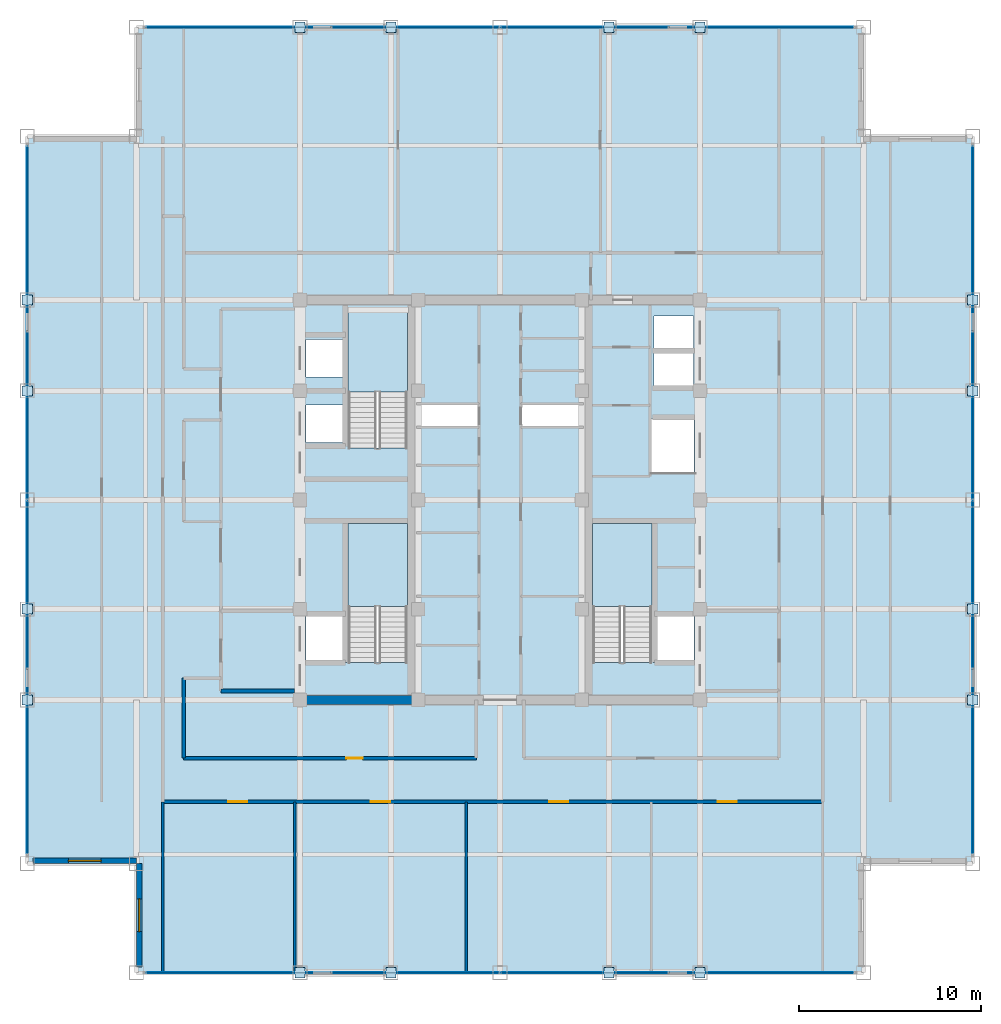
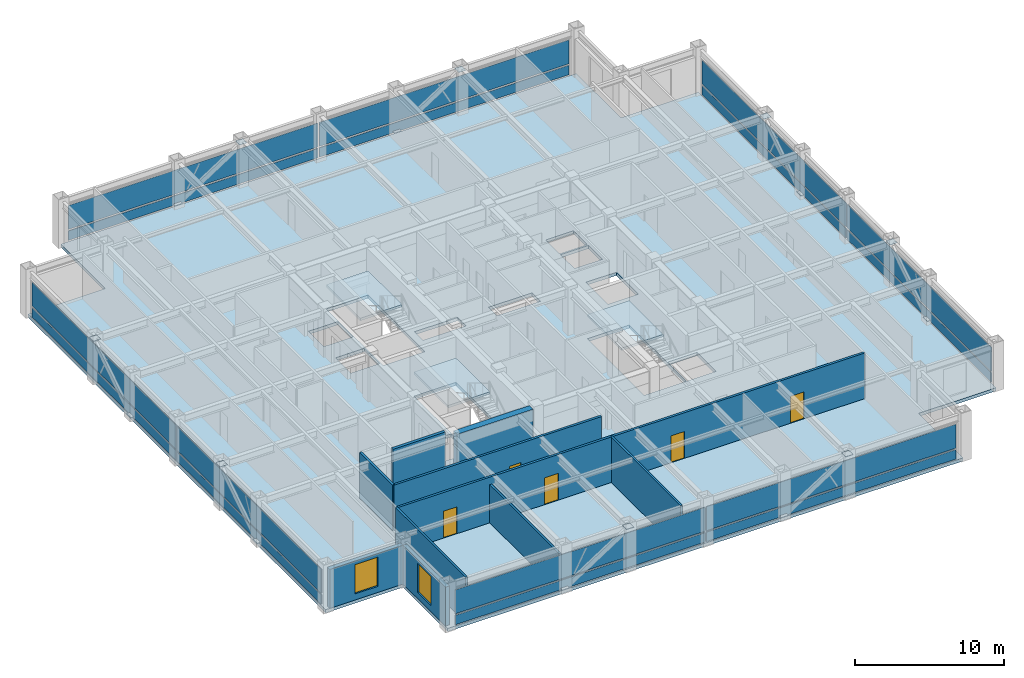
# One storey, part 23 of 28: 32 plates, 10 walls, 5 doors, 4 slabs, 2 windows, 7 openings, 7 elements without a shape of their own.
"""IFC4 building model written with IfcOpenShell, lengths in metres."""

from ifc_helpers import new_model, si_unit, direction, frame, frame_2d, origin, origin_2d, place, context, subcontext, project, spatial, polyline, rectangle, outline, extrude, source, transform, mapped, material, layer, layer_set, type_object, element, fill, aggregate, save


model = new_model("IFC4")

# Units and contexts
model_context = context("Model", 3, precision=1e-05, world=origin(), true_north=direction((0.0, 1.0)))
body_context = subcontext(model_context, "Body", "Model", "MODEL_VIEW")
ifc_project = project(units=[si_unit("LENGTHUNIT", "METRE"), si_unit("AREAUNIT", "SQUARE_METRE"), si_unit("VOLUMEUNIT", "CUBIC_METRE"), si_unit("PLANEANGLEUNIT", "RADIAN"), si_unit("MASSUNIT", "GRAM", prefix="KILO")], contexts=[model_context])

# Site, building, storey
site_placement = place(None, origin())
site = spatial("IfcSite", under=ifc_project, at=site_placement, CompositionType="ELEMENT")
building_placement = place(site_placement, origin())
building = spatial("IfcBuilding", under=site, at=building_placement, Name="Khorayat Bourse Tower", CompositionType="ELEMENT")
storey_placement = place(building_placement, frame((0.0, 0.0, 338.300048828125)))
storey = spatial("IfcBuildingStorey", under=building, at=storey_placement, Name="L80", CompositionType="ELEMENT", Elevation=338.300048828125)

# Stair, slab
ifc_material_1 = material(Name="Concrete C40/50", Category="concrete")
stair_type = type_object("IfcStairType", Name="STR-CORE-1550", PredefinedType="HALF_TURN_STAIR", material=ifc_material_1)
stair_1_placement = place(storey_placement, origin())
stair_1 = element("IfcStair", 1, at=stair_1_placement, inside=storey, type_object=stair_type, Name="L80 Exit Stair ST-1", PredefinedType="HALF_TURN_STAIR")
ifc_layer_1 = layer(ifc_material_1, 0.199951171875)
ifc_layer_set_1 = layer_set([ifc_layer_1], Name="Concrete C40/50")
slab_type_1 = type_object("IfcSlabType", Name="SLB-LANDING-200", PredefinedType="LANDING", material=ifc_layer_set_1)
slab_1_placement = place(storey_placement, frame((0.0, 0.0, 1.800048828125)))
slab_1 = element("IfcSlab", 2, at=slab_1_placement, type_object=slab_type_1, Name="ST-1 landing 1", PredefinedType="LANDING", context=body_context, shape_type="SweptSolid", body=[
    extrude(outline(polyline([(-5.10009765625, -5.8701171875), (-5.10009765625, -1.300048828125), (-8.35009765625, -1.300048828125), (-8.35009765625, -5.8701171875), (-5.10009765625, -5.8701171875)])), origin(), (0.0, 0.0, 1.0), 0.199951171875),
])
aggregate(stair_1, [slab_1])

stair_2_placement = place(storey_placement, origin())
stair_2 = element("IfcStair", 3, at=stair_2_placement, inside=storey, type_object=stair_type, Name="L80 Exit Stair ST-2", PredefinedType="HALF_TURN_STAIR")
slab_2_placement = place(storey_placement, frame((0.0, 0.0, 1.800048828125)))
slab_2 = element("IfcSlab", 4, at=slab_2_placement, type_object=slab_type_1, Name="ST-2 landing 1", PredefinedType="LANDING", context=body_context, shape_type="SweptSolid", body=[
    extrude(outline(polyline([(-5.10009765625, 5.929931640625), (-5.10009765625, 10.5), (-8.35009765625, 10.5), (-8.35009765625, 5.929931640625), (-5.10009765625, 5.929931640625)])), origin(), (0.0, 0.0, 1.0), 0.199951171875),
])
aggregate(stair_2, [slab_2])

stair_3_placement = place(storey_placement, origin())
stair_3 = element("IfcStair", 5, at=stair_3_placement, inside=storey, type_object=stair_type, Name="L80 Exit Stair ST-3", PredefinedType="HALF_TURN_STAIR")
slab_3_placement = place(storey_placement, frame((0.0, 0.0, 1.800048828125)))
slab_3 = element("IfcSlab", 6, at=slab_3_placement, type_object=slab_type_1, Name="ST-3 landing 1", PredefinedType="LANDING", context=body_context, shape_type="SweptSolid", body=[
    extrude(outline(polyline([(8.35009765625, -5.8701171875), (8.35009765625, -1.300048828125), (5.10009765625, -1.300048828125), (5.10009765625, -5.8701171875), (8.35009765625, -5.8701171875)])), origin(), (0.0, 0.0, 1.0), 0.199951171875),
])
aggregate(stair_3, [slab_3])

# Slab
ifc_layer_2 = layer(ifc_material_1, 0.219970703125)
ifc_layer_set_2 = layer_set([ifc_layer_2], Name="Concrete C40/50")
slab_type_2 = type_object("IfcSlabType", Name="SLB-OFFICE-220", PredefinedType="FLOOR", material=ifc_layer_set_2)
slab_4_placement = place(storey_placement, frame((0.0, 0.0, -0.260009765625)))
element("IfcSlab", 7, at=slab_4_placement, inside=storey, type_object=slab_type_2, Name="L80 Main Floor Slab", PredefinedType="FLOOR", context=body_context, shape_type="SweptSolid", body=[
    extrude(outline(polyline([(-20.0, -26.0), (20.0, -26.0), (20.0, -20.0), (26.0, -20.0), (26.0, 20.0), (20.0, 20.0), (20.0, 26.0), (-20.0, 26.0), (-20.0, 20.0), (-26.0, 20.0), (-26.0, -20.0), (-20.0, -20.0), (-20.0, -26.0)]), holes=[polyline([(-8.35009765625, -8.945068359375), (-5.10009765625, -8.945068359375), (-5.10009765625, -1.300048828125), (-8.35009765625, -1.300048828125), (-8.35009765625, -8.945068359375)]), polyline([(-8.35009765625, 2.85498046875), (-5.10009765625, 2.85498046875), (-5.10009765625, 10.5), (-8.35009765625, 10.5), (-8.35009765625, 2.85498046875)]), polyline([(5.10009765625, -8.945068359375), (8.35009765625, -8.945068359375), (8.35009765625, -1.300048828125), (5.10009765625, -1.300048828125), (5.10009765625, -8.945068359375)]), polyline([(-10.679931640625, 3.169921875), (-8.419921875, 3.169921875), (-8.419921875, 5.22998046875), (-10.679931640625, 5.22998046875), (-10.679931640625, 3.169921875)]), polyline([(-10.679931640625, 6.77001953125), (-8.419921875, 6.77001953125), (-8.419921875, 8.830078125), (-10.679931640625, 8.830078125), (-10.679931640625, 6.77001953125)]), polyline([(8.469970703125, 6.27001953125), (10.6298828125, 6.27001953125), (10.6298828125, 8.1298828125), (8.469970703125, 8.1298828125), (8.469970703125, 6.27001953125)]), polyline([(8.469970703125, 8.27001953125), (10.6298828125, 8.27001953125), (10.6298828125, 10.1298828125), (8.469970703125, 10.1298828125), (8.469970703125, 8.27001953125)]), polyline([(-10.679931640625, -8.929931640625), (-8.419921875, -8.929931640625), (-8.419921875, -6.3701171875), (-10.679931640625, -6.3701171875), (-10.679931640625, -8.929931640625)]), polyline([(8.419921875, -8.929931640625), (10.679931640625, -8.929931640625), (10.679931640625, -6.3701171875), (8.419921875, -6.3701171875), (8.419921875, -8.929931640625)]), polyline([(8.320068359375, 1.52001953125), (10.679931640625, 1.52001953125), (10.679931640625, 4.47998046875), (8.320068359375, 4.47998046875), (8.320068359375, 1.52001953125)]), polyline([(-4.56005859375, 4.080078125), (-1.18994140625, 4.080078125), (-1.18994140625, 5.219970703125), (-4.56005859375, 5.219970703125), (-4.56005859375, 4.080078125)]), polyline([(1.18994140625, 4.080078125), (4.56005859375, 4.080078125), (4.56005859375, 5.219970703125), (1.18994140625, 5.219970703125), (1.18994140625, 4.080078125)])]), origin(), (0.0, 0.0, 1.0), 0.260009765625),
])

# Plates
ifc_material_2 = material(Name="Steel EN 10025-2 S355J2", Category="steel")
ifc_layer_3 = layer(ifc_material_2, 0.02490234375)
ifc_layer_set_3 = layer_set([ifc_layer_3], Name="Steel EN 10025-2 S355J2")
plate_type_1 = type_object("IfcPlateType", Name="PLT-ENDCAP-25", PredefinedType="SHEET", material=ifc_layer_set_3)
shared_shape_1 = source(origin(), body_context, "Body", "SweptSolid", [
    extrude(rectangle(XDim=0.56005859375, YDim=0.56005859375, at=origin_2d()), origin(), (0.0, 0.0, 1.0), 0.02490234375),
])
for number, where, z_axis, x_axis, name in (
    (8, (-11.0, -26.0, 0.237548828125), (0.0, 0.0, 1.0), (1.0, 0.0, 0.0), "L80 Perimeter Brace End Plate 001"),
    (9, (-6.0, -26.0, 3.4775390625), (0.0, 0.0, 1.0), (1.0, 0.0, 0.0), "L80 Perimeter Brace End Plate 002"),
    (10, (6.0, -26.0, 0.237548828125), (0.0, 0.0, 1.0), (1.0, 0.0, 0.0), "L80 Perimeter Brace End Plate 003"),
    (11, (11.0, -26.0, 3.4775390625), (0.0, 0.0, 1.0), (1.0, 0.0, 0.0), "L80 Perimeter Brace End Plate 004"),
    (12, (-11.0, 26.0, 0.237548828125), (0.0, 0.0, 1.0), (1.0, 0.0, 0.0), "L80 Perimeter Brace End Plate 005"),
    (13, (-6.0, 26.0, 3.4775390625), (0.0, 0.0, 1.0), (1.0, 0.0, 0.0), "L80 Perimeter Brace End Plate 006"),
    (14, (6.0, 26.0, 0.237548828125), (0.0, 0.0, 1.0), (1.0, 0.0, 0.0), "L80 Perimeter Brace End Plate 007"),
    (15, (11.0, 26.0, 3.4775390625), (0.0, 0.0, 1.0), (1.0, 0.0, 0.0), "L80 Perimeter Brace End Plate 008"),
    (16, (-26.0, -11.0, 0.237548828125), (0.0, 0.0, 1.0), (1.0, 0.0, 0.0), "L80 Perimeter Brace End Plate 009"),
    (17, (-26.0, -6.0, 3.4775390625), (0.0, 0.0, 1.0), (1.0, 0.0, 0.0), "L80 Perimeter Brace End Plate 010"),
    (18, (-26.0, 6.0, 0.237548828125), (0.0, 0.0, 1.0), (1.0, 0.0, 0.0), "L80 Perimeter Brace End Plate 011"),
    (19, (-26.0, 11.0, 3.4775390625), (0.0, 0.0, 1.0), (1.0, 0.0, 0.0), "L80 Perimeter Brace End Plate 012"),
    (20, (26.0, -11.0, 0.237548828125), (0.0, 0.0, 1.0), (1.0, 0.0, 0.0), "L80 Perimeter Brace End Plate 013"),
    (21, (26.0, -6.0, 3.4775390625), (0.0, 0.0, 1.0), (1.0, 0.0, 0.0), "L80 Perimeter Brace End Plate 014"),
    (22, (26.0, 6.0, 0.237548828125), (0.0, 0.0, 1.0), (1.0, 0.0, 0.0), "L80 Perimeter Brace End Plate 015"),
    (23, (26.0, 11.0, 3.4775390625), (0.0, 0.0, 1.0), (1.0, 0.0, 0.0), "L80 Perimeter Brace End Plate 016"),
):
    element("IfcPlate", number, at=place(storey_placement, frame(where, z_axis=z_axis, x_axis=x_axis)), inside=storey, type_object=plate_type_1, Name=name, PredefinedType="SHEET", context=body_context, shape_type="MappedRepresentation", body=[
        mapped(shared_shape_1, transform((0.0, 0.0, 0.0), scale=1.0)),
    ])

# Curtain wall, plates
ifc_material_3 = material(Name="Aluminium EN AW-6063 T6", Category="aluminium")
curtain_wall_type = type_object("IfcCurtainWallType", Name="CW-SYS-04", PredefinedType="NOTDEFINED", material=ifc_material_3)
curtain_wall_1_placement = place(storey_placement, origin())
curtain_wall_1 = element("IfcCurtainWall", 24, at=curtain_wall_1_placement, inside=storey, type_object=curtain_wall_type, Name="L80 Curtain Wall CW-L80-S1", PredefinedType="NOTDEFINED")
ifc_material_4 = material(Name="Honed desert limestone insulated spandrel", Category="masonry")
ifc_layer_4 = layer(ifc_material_4, 0.06494140625)
ifc_layer_set_4 = layer_set([ifc_layer_4], Name="Honed desert limestone insulated spandrel")
plate_type_2 = type_object("IfcPlateType", Name="CWP-SPAND-03", PredefinedType="CURTAIN_PANEL", material=ifc_layer_set_4)
shared_shape_2 = source(origin(), body_context, "Body", "SweptSolid", [
    extrude(rectangle(XDim=19.3701171875, YDim=0.06494140625, at=origin_2d()), origin(), (0.0, 0.0, 1.0), 0.77001953125),
])
plate_1_placement = place(storey_placement, frame((-9.7451171875, -26.0, 0.119873046875), z_axis=(0.0, 0.0, 1.0), x_axis=(1.0, 0.0, 0.0)))
plate_1 = element("IfcPlate", 25, at=plate_1_placement, type_object=plate_type_2, Name="CW-L80-S1 Spandrel Panel 1-1", PredefinedType="CURTAIN_PANEL", context=body_context, shape_type="MappedRepresentation", body=[
    mapped(shared_shape_2, transform((0.0, 0.0, 0.0), scale=1.0)),
])
plate_2_placement = place(storey_placement, frame((9.7451171875, -26.0, 0.119873046875), z_axis=(0.0, 0.0, 1.0), x_axis=(1.0, 0.0, 0.0)))
plate_2 = element("IfcPlate", 26, at=plate_2_placement, type_object=plate_type_2, Name="CW-L80-S1 Spandrel Panel 2-1", PredefinedType="CURTAIN_PANEL", context=body_context, shape_type="MappedRepresentation", body=[
    mapped(shared_shape_2, transform((0.0, 0.0, 0.0), scale=1.0)),
])

curtain_wall_2_placement = place(storey_placement, origin())
curtain_wall_2 = element("IfcCurtainWall", 27, at=curtain_wall_2_placement, inside=storey, type_object=curtain_wall_type, Name="L80 Curtain Wall CW-L80-N1", PredefinedType="NOTDEFINED")
plate_3_placement = place(storey_placement, frame((-9.7451171875, 26.0, 0.119873046875), z_axis=(0.0, 0.0, 1.0), x_axis=(1.0, 0.0, 0.0)))
plate_3 = element("IfcPlate", 28, at=plate_3_placement, type_object=plate_type_2, Name="CW-L80-N1 Spandrel Panel 1-1", PredefinedType="CURTAIN_PANEL", context=body_context, shape_type="MappedRepresentation", body=[
    mapped(shared_shape_2, transform((0.0, 0.0, 0.0), scale=1.0)),
])
plate_4_placement = place(storey_placement, frame((9.7451171875, 26.0, 0.119873046875), z_axis=(0.0, 0.0, 1.0), x_axis=(1.0, 0.0, 0.0)))
plate_4 = element("IfcPlate", 29, at=plate_4_placement, type_object=plate_type_2, Name="CW-L80-N1 Spandrel Panel 2-1", PredefinedType="CURTAIN_PANEL", context=body_context, shape_type="MappedRepresentation", body=[
    mapped(shared_shape_2, transform((0.0, 0.0, 0.0), scale=1.0)),
])

curtain_wall_3_placement = place(storey_placement, origin())
curtain_wall_3 = element("IfcCurtainWall", 30, at=curtain_wall_3_placement, inside=storey, type_object=curtain_wall_type, Name="L80 Curtain Wall CW-L80-W1", PredefinedType="NOTDEFINED")
plate_5_placement = place(storey_placement, frame((-26.0, -9.7451171875, 0.119873046875), z_axis=(0.0, 0.0, 1.0), x_axis=(0.0, 1.0, 0.0)))
plate_5 = element("IfcPlate", 31, at=plate_5_placement, type_object=plate_type_2, Name="CW-L80-W1 Spandrel Panel 1-1", PredefinedType="CURTAIN_PANEL", context=body_context, shape_type="MappedRepresentation", body=[
    mapped(shared_shape_2, transform((0.0, 0.0, 0.0), scale=1.0)),
])
plate_6_placement = place(storey_placement, frame((-26.0, 9.7451171875, 0.119873046875), z_axis=(0.0, 0.0, 1.0), x_axis=(0.0, 1.0, 0.0)))
plate_6 = element("IfcPlate", 32, at=plate_6_placement, type_object=plate_type_2, Name="CW-L80-W1 Spandrel Panel 2-1", PredefinedType="CURTAIN_PANEL", context=body_context, shape_type="MappedRepresentation", body=[
    mapped(shared_shape_2, transform((0.0, 0.0, 0.0), scale=1.0)),
])

curtain_wall_4_placement = place(storey_placement, origin())
curtain_wall_4 = element("IfcCurtainWall", 33, at=curtain_wall_4_placement, inside=storey, type_object=curtain_wall_type, Name="L80 Curtain Wall CW-L80-E1", PredefinedType="NOTDEFINED")
plate_7_placement = place(storey_placement, frame((26.0, -9.7451171875, 0.119873046875), z_axis=(0.0, 0.0, 1.0), x_axis=(0.0, 1.0, 0.0)))
plate_7 = element("IfcPlate", 34, at=plate_7_placement, type_object=plate_type_2, Name="CW-L80-E1 Spandrel Panel 1-1", PredefinedType="CURTAIN_PANEL", context=body_context, shape_type="MappedRepresentation", body=[
    mapped(shared_shape_2, transform((0.0, 0.0, 0.0), scale=1.0)),
])
plate_8_placement = place(storey_placement, frame((26.0, 9.7451171875, 0.119873046875), z_axis=(0.0, 0.0, 1.0), x_axis=(0.0, 1.0, 0.0)))
plate_8 = element("IfcPlate", 35, at=plate_8_placement, type_object=plate_type_2, Name="CW-L80-E1 Spandrel Panel 2-1", PredefinedType="CURTAIN_PANEL", context=body_context, shape_type="MappedRepresentation", body=[
    mapped(shared_shape_2, transform((0.0, 0.0, 0.0), scale=1.0)),
])

# Plate
ifc_material_5 = material(Name="Low-E solar-control laminated double glazing", Category="glass")
ifc_layer_5 = layer(ifc_material_5, 0.0419921875)
ifc_layer_set_5 = layer_set([ifc_layer_5], Name="Low-E solar-control laminated double glazing")
plate_type_3 = type_object("IfcPlateType", Name="CWP-FACET-02", PredefinedType="CURTAIN_PANEL", material=ifc_layer_set_5)
shared_shape_3 = source(origin(), body_context, "Body", "SweptSolid", [
    extrude(rectangle(XDim=19.3701171875, YDim=0.0419921875, at=origin_2d()), origin(), (0.0, 0.0, 1.0), 1.9599609375),
])
plate_9_placement = place(storey_placement, frame((-9.7451171875, -26.0, 1.010009765625), z_axis=(0.0, 0.0, 1.0), x_axis=(1.0, 0.0, 0.0)))
plate_9 = element("IfcPlate", 36, at=plate_9_placement, type_object=plate_type_3, Name="CW-L80-S1 Vision Panel 1-2", PredefinedType="CURTAIN_PANEL", context=body_context, shape_type="MappedRepresentation", body=[
    mapped(shared_shape_3, transform((0.0, 0.0, 0.0), scale=1.0)),
])

plate_10_placement = place(storey_placement, frame((9.7451171875, -26.0, 1.010009765625), z_axis=(0.0, 0.0, 1.0), x_axis=(1.0, 0.0, 0.0)))
plate_10 = element("IfcPlate", 37, at=plate_10_placement, type_object=plate_type_3, Name="CW-L80-S1 Vision Panel 2-2", PredefinedType="CURTAIN_PANEL", context=body_context, shape_type="MappedRepresentation", body=[
    mapped(shared_shape_3, transform((0.0, 0.0, 0.0), scale=1.0)),
])

aggregate(curtain_wall_1, [plate_1, plate_9, plate_2, plate_10])

plate_11_placement = place(storey_placement, frame((-9.7451171875, 26.0, 1.010009765625), z_axis=(0.0, 0.0, 1.0), x_axis=(1.0, 0.0, 0.0)))
plate_11 = element("IfcPlate", 38, at=plate_11_placement, type_object=plate_type_3, Name="CW-L80-N1 Vision Panel 1-2", PredefinedType="CURTAIN_PANEL", context=body_context, shape_type="MappedRepresentation", body=[
    mapped(shared_shape_3, transform((0.0, 0.0, 0.0), scale=1.0)),
])

plate_12_placement = place(storey_placement, frame((9.7451171875, 26.0, 1.010009765625), z_axis=(0.0, 0.0, 1.0), x_axis=(1.0, 0.0, 0.0)))
plate_12 = element("IfcPlate", 39, at=plate_12_placement, type_object=plate_type_3, Name="CW-L80-N1 Vision Panel 2-2", PredefinedType="CURTAIN_PANEL", context=body_context, shape_type="MappedRepresentation", body=[
    mapped(shared_shape_3, transform((0.0, 0.0, 0.0), scale=1.0)),
])

aggregate(curtain_wall_2, [plate_3, plate_11, plate_4, plate_12])

plate_13_placement = place(storey_placement, frame((-26.0, -9.7451171875, 1.010009765625), z_axis=(0.0, 0.0, 1.0), x_axis=(0.0, 1.0, 0.0)))
plate_13 = element("IfcPlate", 40, at=plate_13_placement, type_object=plate_type_3, Name="CW-L80-W1 Vision Panel 1-2", PredefinedType="CURTAIN_PANEL", context=body_context, shape_type="MappedRepresentation", body=[
    mapped(shared_shape_3, transform((0.0, 0.0, 0.0), scale=1.0)),
])

plate_14_placement = place(storey_placement, frame((-26.0, 9.7451171875, 1.010009765625), z_axis=(0.0, 0.0, 1.0), x_axis=(0.0, 1.0, 0.0)))
plate_14 = element("IfcPlate", 41, at=plate_14_placement, type_object=plate_type_3, Name="CW-L80-W1 Vision Panel 2-2", PredefinedType="CURTAIN_PANEL", context=body_context, shape_type="MappedRepresentation", body=[
    mapped(shared_shape_3, transform((0.0, 0.0, 0.0), scale=1.0)),
])

aggregate(curtain_wall_3, [plate_5, plate_13, plate_6, plate_14])

plate_15_placement = place(storey_placement, frame((26.0, -9.7451171875, 1.010009765625), z_axis=(0.0, 0.0, 1.0), x_axis=(0.0, 1.0, 0.0)))
plate_15 = element("IfcPlate", 42, at=plate_15_placement, type_object=plate_type_3, Name="CW-L80-E1 Vision Panel 1-2", PredefinedType="CURTAIN_PANEL", context=body_context, shape_type="MappedRepresentation", body=[
    mapped(shared_shape_3, transform((0.0, 0.0, 0.0), scale=1.0)),
])

plate_16_placement = place(storey_placement, frame((26.0, 9.7451171875, 1.010009765625), z_axis=(0.0, 0.0, 1.0), x_axis=(0.0, 1.0, 0.0)))
plate_16 = element("IfcPlate", 43, at=plate_16_placement, type_object=plate_type_3, Name="CW-L80-E1 Vision Panel 2-2", PredefinedType="CURTAIN_PANEL", context=body_context, shape_type="MappedRepresentation", body=[
    mapped(shared_shape_3, transform((0.0, 0.0, 0.0), scale=1.0)),
])

aggregate(curtain_wall_4, [plate_7, plate_15, plate_8, plate_16])

# Wall
ifc_material_6 = material(Name="Concrete C52/65", Category="concrete")
ifc_layer_6 = layer(ifc_material_6, 0.5)
ifc_layer_set_6 = layer_set([ifc_layer_6], Name="Concrete C52/65")
wall_type_1 = type_object("IfcWallType", Name="WAL-CORE-500", PredefinedType="SHEAR", material=ifc_layer_set_6)
shared_shape_4 = source(origin(), body_context, "Body", "SweptSolid", [
    extrude(rectangle(XDim=5.89990234375, YDim=0.5, at=frame_2d((2.949951171875, 0.0))), origin(), (0.0, 0.0, 1.0), 3.739990234375),
])
wall_1_placement = place(storey_placement, frame((-10.75, -11.0, 0.0), z_axis=(0.0, 0.0, 1.0), x_axis=(1.0, 0.0, 0.0)))
element("IfcWall", 44, at=wall_1_placement, inside=storey, type_object=wall_type_1, Name="L80 Core Shear Wall PIER-WS", PredefinedType="SHEAR", context=body_context, shape_type="MappedRepresentation", body=[
    mapped(shared_shape_4, transform((0.0, 0.0, 0.0), scale=1.0)),
])

# Wall, opening, window
ifc_material_7 = material(Name="Precast concrete C45/55", Category="concrete")
ifc_layer_7 = layer(ifc_material_7, 0.320068359375)
ifc_layer_set_7 = layer_set([ifc_layer_7], Name="Precast concrete C45/55")
wall_type_2 = type_object("IfcWallType", Name="WAL-EXT-STONE-320", PredefinedType="STANDARD", material=ifc_layer_set_7)
shared_shape_5 = source(origin(), body_context, "Body", "SweptSolid", [
    extrude(rectangle(XDim=5.679931640625, YDim=0.320068359375, at=frame_2d((2.83984375, 0.0))), origin(), (0.0, 0.0, 1.0), 3.19091796875),
])
wall_2_placement = place(storey_placement, frame((-20.0, -19.840087890625, 0.0), z_axis=(0.0, 0.0, 1.0), x_axis=(-1.0, 0.0, 0.0)))
wall_2 = element("IfcWall", 45, at=wall_2_placement, inside=storey, type_object=wall_type_2, Name="L80 Re-Entrant Notch Limestone Wall SW-H", PredefinedType="STANDARD", context=body_context, shape_type="MappedRepresentation", body=[
    mapped(shared_shape_5, transform((0.0, 0.0, 0.0), scale=1.0)),
])
shared_shape_6 = source(origin(), body_context, "Body", "SweptSolid", [
    extrude(rectangle(XDim=1.800048828125, YDim=2.39990234375, at=frame_2d((0.89990234375, 1.199951171875))), frame((0.0, 0.169921875, 0.0), z_axis=(0.0, -1.0, 0.0), x_axis=(1.0, 0.0, 0.0)), (0.0, 0.0, 1.0), 0.340087890625),
])
opening_1_placement = place(wall_2_placement, frame((1.93994140625, 0.0, 0.5)))
opening_1 = element("IfcOpeningElement", 46, at=opening_1_placement, cuts=wall_2, Name="Opening WN-04", PredefinedType="OPENING", context=body_context, shape_type="MappedRepresentation", body=[
    mapped(shared_shape_6, transform((0.0, 0.0, 0.0), scale=1.0)),
])
ifc_material_8 = material(Name="Low-E acoustic laminated double glazing", Category="glass")
window_type = type_object("IfcWindowType", Name="WIN-NOTCH-1800x2400", PartitioningType="SINGLE_PANEL", PredefinedType="WINDOW", material=ifc_material_8)
shared_shape_7 = source(origin(), body_context, "Body", "SweptSolid", [
    extrude(rectangle(XDim=1.800048828125, YDim=2.39990234375, at=frame_2d((0.89990234375, 1.199951171875))), frame((0.0, 0.030029296875, 0.0), z_axis=(0.0, -1.0, 0.0), x_axis=(1.0, 0.0, 0.0)), (0.0, 0.0, 1.0), 0.06005859375),
])
window_1_placement = place(opening_1_placement, origin())
window_1 = element("IfcWindow", 47, at=window_1_placement, inside=storey, type_object=window_type, Name="L80 Facade Window 1", OverallHeight=2.39990234375, OverallWidth=1.800048828125, PartitioningType="SINGLE_PANEL", PredefinedType="WINDOW", context=body_context, shape_type="MappedRepresentation", body=[
    mapped(shared_shape_7, transform((0.0, 0.0, 0.0), scale=1.0)),
])
fill(opening_1, window_1)

wall_3_placement = place(storey_placement, frame((-19.840087890625, -25.679931640625, 0.0), z_axis=(0.0, 0.0, 1.0), x_axis=(0.0, 1.0, 0.0)))
wall_3 = element("IfcWall", 48, at=wall_3_placement, inside=storey, type_object=wall_type_2, Name="L80 Re-Entrant Notch Limestone Wall SW-V", PredefinedType="STANDARD", context=body_context, shape_type="MappedRepresentation", body=[
    mapped(shared_shape_5, transform((0.0, 0.0, 0.0), scale=1.0)),
])
opening_2_placement = place(wall_3_placement, frame((1.93994140625, 0.0, 0.5)))
opening_2 = element("IfcOpeningElement", 49, at=opening_2_placement, cuts=wall_3, Name="Opening WN-04", PredefinedType="OPENING", context=body_context, shape_type="MappedRepresentation", body=[
    mapped(shared_shape_6, transform((0.0, 0.0, 0.0), scale=1.0)),
])
window_2_placement = place(opening_2_placement, origin())
window_2 = element("IfcWindow", 50, at=window_2_placement, inside=storey, type_object=window_type, Name="L80 Facade Window 1", OverallHeight=2.39990234375, OverallWidth=1.800048828125, PartitioningType="SINGLE_PANEL", PredefinedType="WINDOW", context=body_context, shape_type="MappedRepresentation", body=[
    mapped(shared_shape_7, transform((0.0, 0.0, 0.0), scale=1.0)),
])
fill(opening_2, window_2)

# Wall
ifc_material_9 = material(Name="Aerated concrete blockwork", Category="masonry")
ifc_layer_8 = layer(ifc_material_9, 0.219970703125)
ifc_layer_set_8 = layer_set([ifc_layer_8], Name="Aerated concrete blockwork")
wall_type_3 = type_object("IfcWallType", Name="WAL-PART-FF-220", PredefinedType="PARTITIONING", material=ifc_layer_set_8)
shared_shape_8 = source(origin(), body_context, "Body", "SweptSolid", [
    extrude(rectangle(XDim=4.050048828125, YDim=0.219970703125, at=frame_2d((2.02490234375, 0.0))), origin(), (0.0, 0.0, 1.0), 3.739990234375),
])
wall_4_placement = place(storey_placement, frame((-15.35009765625, -10.5, 0.0), z_axis=(0.0, 0.0, 1.0), x_axis=(1.0, 0.0, 0.0)))
element("IfcWall", 51, at=wall_4_placement, inside=storey, type_object=wall_type_3, Name="L80 Partition WAL-L80-FFLW-S", PredefinedType="PARTITIONING", context=body_context, shape_type="MappedRepresentation", body=[
    mapped(shared_shape_8, transform((0.0, 0.0, 0.0), scale=1.0)),
])

# Wall, opening, door
ifc_material_10 = material(Name="Gypsum plasterboard acoustic stud wall")
ifc_layer_9 = layer(ifc_material_10, 0.179931640625)
ifc_layer_set_9 = layer_set([ifc_layer_9], Name="Gypsum plasterboard acoustic stud wall")
wall_type_4 = type_object("IfcWallType", Name="WAL-PART-CORR-180", PredefinedType="PARTITIONING", material=ifc_layer_set_9)
shared_shape_9 = source(origin(), body_context, "Body", "SweptSolid", [
    extrude(rectangle(XDim=16.099853515625, YDim=0.179931640625, at=frame_2d((8.0498046875, 0.0))), origin(), (0.0, 0.0, 1.0), 3.739990234375),
])
wall_5_placement = place(storey_placement, frame((-17.39990234375, -14.199951171875, 0.0), z_axis=(0.0, 0.0, 1.0), x_axis=(1.0, 0.0, 0.0)))
wall_5 = element("IfcWall", 52, at=wall_5_placement, inside=storey, type_object=wall_type_4, Name="L80 Partition WAL-L80-PKSW-S", PredefinedType="PARTITIONING", context=body_context, shape_type="MappedRepresentation", body=[
    mapped(shared_shape_9, transform((0.0, 0.0, 0.0), scale=1.0)),
])
shared_shape_10 = source(origin(), body_context, "Body", "SweptSolid", [
    extrude(rectangle(XDim=0.89990234375, YDim=2.14990234375, at=frame_2d((0.449951171875, 1.074951171875))), frame((0.0, 0.099853515625, 0.0), z_axis=(0.0, -1.0, 0.0), x_axis=(1.0, 0.0, 0.0)), (0.0, 0.0, 1.0), 0.199951171875),
])
opening_3_placement = place(wall_5_placement, frame((8.949951171875, 0.0, 0.0)))
opening_3 = element("IfcOpeningElement", 53, at=opening_3_placement, cuts=wall_5, Name="Opening DI-06", PredefinedType="OPENING", context=body_context, shape_type="MappedRepresentation", body=[
    mapped(shared_shape_10, transform((0.0, 0.0, 0.0), scale=1.0)),
])
ifc_material_11 = material(Name="Moisture-resistant laminate washroom door")
door_type_1 = type_object("IfcDoorType", Name="DR-INT-WC-900", OperationType="NOTDEFINED", PredefinedType="DOOR", material=ifc_material_11)
shared_shape_11 = source(origin(), body_context, "Body", "SweptSolid", [
    extrude(rectangle(XDim=0.89990234375, YDim=2.14990234375, at=frame_2d((0.449951171875, 1.074951171875))), frame((0.0, 0.02490234375, 0.0), z_axis=(0.0, -1.0, 0.0), x_axis=(1.0, 0.0, 0.0)), (0.0, 0.0, 1.0), 0.050048828125),
])
door_1_placement = place(opening_3_placement, origin())
door_1 = element("IfcDoor", 54, at=door_1_placement, inside=storey, type_object=door_type_1, Name="L80 SW Inboard Pantry Door", OperationType="SINGLE_SWING_LEFT", OverallHeight=2.14990234375, OverallWidth=0.89990234375, PredefinedType="DOOR", context=body_context, shape_type="MappedRepresentation", body=[
    mapped(shared_shape_11, transform((0.0, 0.0, 0.0), scale=1.0)),
])
fill(opening_3, door_1)

# Walls
shared_shape_12 = source(origin(), body_context, "Body", "SweptSolid", [
    extrude(rectangle(XDim=4.39990234375, YDim=0.179931640625, at=frame_2d((2.199951171875, 0.0))), origin(), (0.0, 0.0, 1.0), 3.739990234375),
])
wall_6_placement = place(storey_placement, frame((-17.39990234375, -14.199951171875, 0.0), z_axis=(0.0, 0.0, 1.0), x_axis=(0.0, 1.0, 0.0)))
element("IfcWall", 55, at=wall_6_placement, inside=storey, type_object=wall_type_4, Name="L80 Partition WAL-L80-PKSW-W", PredefinedType="PARTITIONING", context=body_context, shape_type="MappedRepresentation", body=[
    mapped(shared_shape_12, transform((0.0, 0.0, 0.0), scale=1.0)),
])
ifc_material_12 = material(Name="Gypsum plasterboard twin-frame partition")
ifc_layer_10 = layer(ifc_material_12, 0.14990234375)
ifc_layer_set_10 = layer_set([ifc_layer_10], Name="Gypsum plasterboard twin-frame partition")
wall_type_5 = type_object("IfcWallType", Name="WAL-PART-SUITE-150", PredefinedType="PARTITIONING", material=ifc_layer_set_10)
shared_shape_13 = source(origin(), body_context, "Body", "SweptSolid", [
    extrude(rectangle(XDim=9.39990234375, YDim=0.14990234375, at=frame_2d((4.699951171875, 0.0))), origin(), (0.0, 0.0, 1.0), 3.1240234375),
])
wall_7_placement = place(storey_placement, frame((-11.2900390625, -26.0, 0.0), z_axis=(0.0, 0.0, 1.0), x_axis=(0.0, 1.0, 0.0)))
element("IfcWall", 56, at=wall_7_placement, inside=storey, type_object=wall_type_5, Name="L80 Partition WAL-L80-SDV-1", PredefinedType="PARTITIONING", context=body_context, shape_type="MappedRepresentation", body=[
    mapped(shared_shape_13, transform((0.0, 0.0, 0.0), scale=1.0)),
])
shared_shape_14 = source(origin(), body_context, "Body", "SweptSolid", [
    extrude(rectangle(XDim=9.39990234375, YDim=0.14990234375, at=frame_2d((4.699951171875, 0.0))), origin(), (0.0, 0.0, 1.0), 3.739990234375),
])
for number, where, z_axis, x_axis, name in (
    (57, (-1.85205078125, -26.0, 0.0), (0.0, 0.0, 1.0), (0.0, 1.0, 0.0), "L80 Partition WAL-L80-SDV-2"),
    (58, (-18.550048828125, -26.0, 0.0), (0.0, 0.0, 1.0), (0.0, 1.0, 0.0), "L80 Partition WAL-L80-SCW-END"),
):
    element("IfcWall", number, at=place(storey_placement, frame(where, z_axis=z_axis, x_axis=x_axis)), inside=storey, type_object=wall_type_5, Name=name, PredefinedType="PARTITIONING", context=body_context, shape_type="MappedRepresentation", body=[
        mapped(shared_shape_14, transform((0.0, 0.0, 0.0), scale=1.0)),
    ])

# Wall, openings, doors
shared_shape_15 = source(origin(), body_context, "Body", "SweptSolid", [
    extrude(rectangle(XDim=36.300048828125, YDim=0.179931640625, at=frame_2d((18.14990234375, 0.0))), origin(), (0.0, 0.0, 1.0), 3.739990234375),
])
wall_8_placement = place(storey_placement, frame((-18.550048828125, -16.60009765625, 0.0), z_axis=(0.0, 0.0, 1.0), x_axis=(1.0, 0.0, 0.0)))
wall_8 = element("IfcWall", 59, at=wall_8_placement, inside=storey, type_object=wall_type_4, Name="L80 Partition WAL-L80-SCORR", PredefinedType="PARTITIONING", context=body_context, shape_type="MappedRepresentation", body=[
    mapped(shared_shape_15, transform((0.0, 0.0, 0.0), scale=1.0)),
])
shared_shape_16 = source(origin(), body_context, "Body", "SweptSolid", [
    extrude(rectangle(XDim=1.050048828125, YDim=2.199951171875, at=frame_2d((0.52490234375, 1.10009765625))), frame((0.0, 0.099853515625, 0.0), z_axis=(0.0, -1.0, 0.0), x_axis=(1.0, 0.0, 0.0)), (0.0, 0.0, 1.0), 0.199951171875),
])
opening_4_placement = place(wall_8_placement, frame((3.60498046875, 0.0, 0.0)))
opening_4 = element("IfcOpeningElement", 60, at=opening_4_placement, cuts=wall_8, Name="Opening DI-04", PredefinedType="OPENING", context=body_context, shape_type="MappedRepresentation", body=[
    mapped(shared_shape_16, transform((0.0, 0.0, 0.0), scale=1.0)),
])
opening_5_placement = place(wall_8_placement, frame((11.4541015625, 0.0, 0.0)))
opening_5 = element("IfcOpeningElement", 61, at=opening_5_placement, cuts=wall_8, Name="Opening DI-04", PredefinedType="OPENING", context=body_context, shape_type="MappedRepresentation", body=[
    mapped(shared_shape_16, transform((0.0, 0.0, 0.0), scale=1.0)),
])
opening_6_placement = place(wall_8_placement, frame((21.2548828125, 0.0, 0.0)))
opening_6 = element("IfcOpeningElement", 62, at=opening_6_placement, cuts=wall_8, Name="Opening DI-04", PredefinedType="OPENING", context=body_context, shape_type="MappedRepresentation", body=[
    mapped(shared_shape_16, transform((0.0, 0.0, 0.0), scale=1.0)),
])
opening_7_placement = place(wall_8_placement, frame((30.531005859375, 0.0, 0.0)))
opening_7 = element("IfcOpeningElement", 63, at=opening_7_placement, cuts=wall_8, Name="Opening DI-04", PredefinedType="OPENING", context=body_context, shape_type="MappedRepresentation", body=[
    mapped(shared_shape_16, transform((0.0, 0.0, 0.0), scale=1.0)),
])
ifc_material_13 = material(Name="Fire-rated oak veneer suite entrance door")
door_type_2 = type_object("IfcDoorType", Name="DR-INT-SUITE-1050", OperationType="NOTDEFINED", PredefinedType="DOOR", material=ifc_material_13)
shared_shape_17 = source(origin(), body_context, "Body", "SweptSolid", [
    extrude(rectangle(XDim=1.050048828125, YDim=2.199951171875, at=frame_2d((0.52490234375, 1.10009765625))), frame((0.0, 0.02490234375, 0.0), z_axis=(0.0, -1.0, 0.0), x_axis=(1.0, 0.0, 0.0)), (0.0, 0.0, 1.0), 0.050048828125),
])
door_2_placement = place(opening_4_placement, origin())
door_2 = element("IfcDoor", 64, at=door_2_placement, inside=storey, type_object=door_type_2, Name="L80 Equities Trading Desk S1 Door", OperationType="SINGLE_SWING_RIGHT", OverallHeight=2.199951171875, OverallWidth=1.050048828125, PredefinedType="DOOR", context=body_context, shape_type="MappedRepresentation", body=[
    mapped(shared_shape_17, transform((0.0, 0.0, 0.0), scale=1.0)),
])
fill(opening_4, door_2)
door_3_placement = place(opening_5_placement, origin())
door_3 = element("IfcDoor", 65, at=door_3_placement, inside=storey, type_object=door_type_2, Name="L80 Clearing Operations Office S2 Door", OperationType="SINGLE_SWING_LEFT", OverallHeight=2.199951171875, OverallWidth=1.050048828125, PredefinedType="DOOR", context=body_context, shape_type="MappedRepresentation", body=[
    mapped(shared_shape_17, transform((0.0, 0.0, 0.0), scale=1.0)),
])
fill(opening_5, door_3)
door_4_placement = place(opening_6_placement, origin())
door_4 = element("IfcDoor", 66, at=door_4_placement, inside=storey, type_object=door_type_2, Name="L80 Market Risk Analytics Workspace S3 Door", OperationType="SINGLE_SWING_RIGHT", OverallHeight=2.199951171875, OverallWidth=1.050048828125, PredefinedType="DOOR", context=body_context, shape_type="MappedRepresentation", body=[
    mapped(shared_shape_17, transform((0.0, 0.0, 0.0), scale=1.0)),
])
fill(opening_6, door_4)
door_5_placement = place(opening_7_placement, origin())
door_5 = element("IfcDoor", 67, at=door_5_placement, inside=storey, type_object=door_type_2, Name="L80 Equities Trading Desk S4 Door", OperationType="SINGLE_SWING_LEFT", OverallHeight=2.199951171875, OverallWidth=1.050048828125, PredefinedType="DOOR", context=body_context, shape_type="MappedRepresentation", body=[
    mapped(shared_shape_17, transform((0.0, 0.0, 0.0), scale=1.0)),
])
fill(opening_7, door_5)

save(model, "model.ifc")
